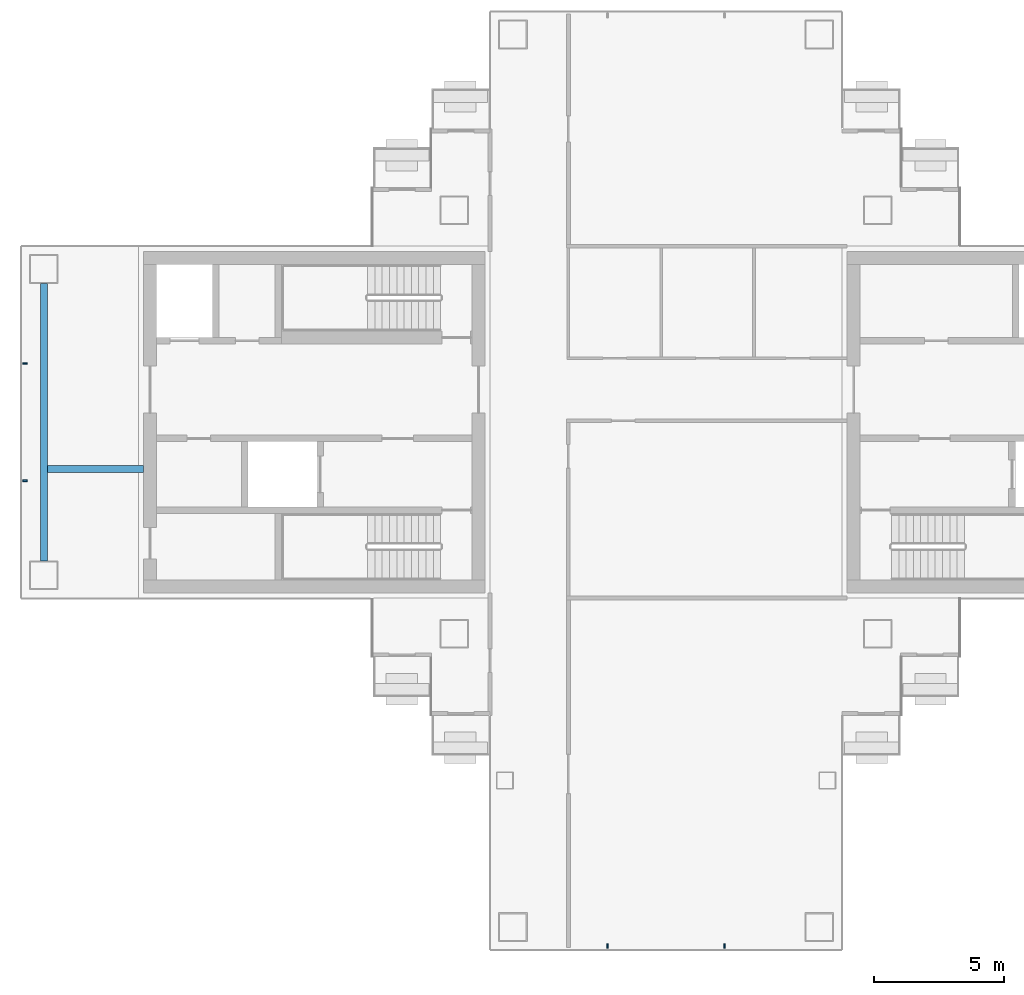
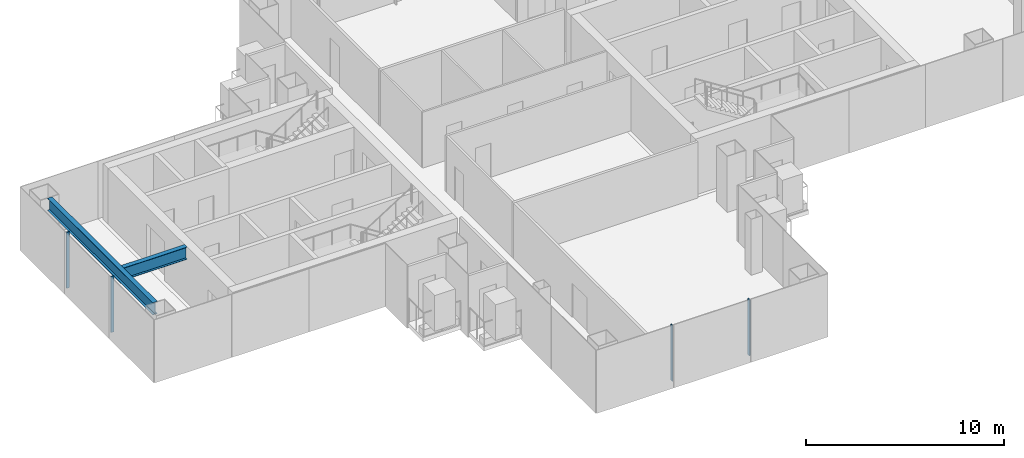
# One storey, part 3 of 17: 4 members, 2 beams, 2 elements without a shape of their own.
"""IFC4 building model written with IfcOpenShell, lengths in metres."""

from ifc_helpers import new_model, si_unit, direction, frame, origin, origin_2d, place, context, subcontext, project, spatial, rectangle, i_section, extrude, material, layer, layer_set, material_profile, profile_set, type_object, element, aggregate, save


model = new_model("IFC4")

# Units and contexts
model_context = context("Model", 3, precision=1e-05, world=origin(), true_north=direction((0.0, 1.0)))
body_context = subcontext(model_context, "Body", "Model", "MODEL_VIEW")
ifc_project = project(units=[si_unit("LENGTHUNIT", "METRE"), si_unit("AREAUNIT", "SQUARE_METRE"), si_unit("VOLUMEUNIT", "CUBIC_METRE"), si_unit("PLANEANGLEUNIT", "RADIAN"), si_unit("MASSUNIT", "GRAM", prefix="KILO")], contexts=[model_context])

# Site, building, storey
site_placement = place(None, origin())
site = spatial("IfcSite", under=ifc_project, at=site_placement, CompositionType="ELEMENT")
building_placement = place(site_placement, origin())
building = spatial("IfcBuilding", under=site, at=building_placement, Name="Shamsa Quay Exchange Towers", CompositionType="ELEMENT")
storey_placement = place(building_placement, frame((0.0, 0.0, 174.0)))
storey = spatial("IfcBuildingStorey", under=building, at=storey_placement, Name="L41", CompositionType="ELEMENT", Elevation=174.0)

# Curtain wall, members
ifc_material_1 = material(Name="Aluminium EN AW-6063 T6, black anodised", Category="aluminium")
ifc_layer = layer(ifc_material_1, 0.280029296875)
ifc_layer_set = layer_set([ifc_layer], Name="CW-1 UNITISED VISION GLASS")
curtain_wall_type = type_object("IfcCurtainWallType", Name="CW-1 UNITISED VISION GLASS", PredefinedType="NOTDEFINED", material=ifc_layer_set)
curtain_wall_1_placement = place(storey_placement, origin())
curtain_wall_1 = element("IfcCurtainWall", 1, at=curtain_wall_1_placement, inside=storey, type_object=curtain_wall_type, Name="CW1 T1-END-V- L41", PredefinedType="NOTDEFINED")
ifc_material_profile_1 = material_profile(ifc_material_1, rectangle(XDim=0.179931640625, YDim=0.06005859375, at=origin_2d()), Name="MU60x180")
ifc_profile_set_1 = profile_set([ifc_material_profile_1], Name="Aluminium EN AW-6063 T6, black anodised")
member_type = type_object("IfcMemberType", Name="CW1 MULLION 60x180", PredefinedType="MULLION", material=ifc_profile_set_1)
member_1_placement = place(storey_placement, frame((-36.0, -20.10009765625, 0.0), z_axis=(0.0, 0.0, 1.0), x_axis=(0.0, 1.0, 0.0)))
member_1 = element("IfcMember", 2, at=member_1_placement, type_object=member_type, Name="CW1 mullion", PredefinedType="MULLION", context=body_context, shape_type="SweptSolid", body=[
    extrude(rectangle(XDim=0.179931640625, YDim=0.06005859375, at=origin_2d()), origin(), (0.0, 0.0, 1.0), 3.449951171875),
])
member_2_placement = place(storey_placement, frame((-31.5, -20.10009765625, 0.0), z_axis=(0.0, 0.0, 1.0), x_axis=(0.0, 1.0, 0.0)))
member_2 = element("IfcMember", 3, at=member_2_placement, type_object=member_type, Name="CW1 mullion", PredefinedType="MULLION", context=body_context, shape_type="SweptSolid", body=[
    extrude(rectangle(XDim=0.179931640625, YDim=0.06005859375, at=origin_2d()), origin(), (0.0, 0.0, 1.0), 3.449951171875),
])
aggregate(curtain_wall_1, [member_1, member_2])

curtain_wall_2_placement = place(storey_placement, origin())
curtain_wall_2 = element("IfcCurtainWall", 4, at=curtain_wall_2_placement, inside=storey, type_object=curtain_wall_type, Name="CW1 T1-END-U- L41", PredefinedType="NOTDEFINED")
member_3_placement = place(storey_placement, frame((-58.35009765625, 2.25, 0.0)))
member_3 = element("IfcMember", 5, at=member_3_placement, type_object=member_type, Name="CW1 mullion", PredefinedType="MULLION", context=body_context, shape_type="SweptSolid", body=[
    extrude(rectangle(XDim=0.179931640625, YDim=0.06005859375, at=origin_2d()), origin(), (0.0, 0.0, 1.0), 3.449951171875),
])
member_4_placement = place(storey_placement, frame((-58.35009765625, -2.25, 0.0)))
member_4 = element("IfcMember", 6, at=member_4_placement, type_object=member_type, Name="CW1 mullion", PredefinedType="MULLION", context=body_context, shape_type="SweptSolid", body=[
    extrude(rectangle(XDim=0.179931640625, YDim=0.06005859375, at=origin_2d()), origin(), (0.0, 0.0, 1.0), 3.449951171875),
])
aggregate(curtain_wall_2, [member_3, member_4])

# Beams
ifc_material_2 = material(Name="Steel S355", Category="steel")
ifc_material_profile_2 = material_profile(ifc_material_2, i_section(OverallWidth=0.26611328125, OverallDepth=0.7578125, WebThickness=0.013916015625, FlangeThickness=0.019287109375, at=origin_2d()), Name="W30x108")
ifc_profile_set_2 = profile_set([ifc_material_profile_2], Name="Steel S355")
beam_type = type_object("IfcBeamType", Name="End-zone beam W30x108", PredefinedType="BEAM", material=ifc_profile_set_2)
beam_1_placement = place(storey_placement, frame((-57.625, -5.324951171875, 3.071044921875), z_axis=(0.0, 1.0, 0.0), x_axis=(-1.0, 0.0, 0.0)))
element("IfcBeam", 7, at=beam_1_placement, inside=storey, type_object=beam_type, Name="End beam T1 U- end zone L41", PredefinedType="BEAM", context=body_context, shape_type="SweptSolid", body=[
    extrude(i_section(OverallWidth=0.26611328125, OverallDepth=0.7578125, WebThickness=0.013916015625, FlangeThickness=0.019287109375, at=origin_2d()), origin(), (0.0, 0.0, 1.0), 10.64990234375),
])
beam_2_placement = place(storey_placement, frame((-53.800048828125, -1.800048828125, 3.071044921875), z_axis=(-1.0, 0.0, 0.0), x_axis=(0.0, -1.0, 0.0)))
element("IfcBeam", 8, at=beam_2_placement, inside=storey, type_object=beam_type, Name="Spine beam T1 U- end zone L41", PredefinedType="BEAM", context=body_context, shape_type="SweptSolid", body=[
    extrude(i_section(OverallWidth=0.26611328125, OverallDepth=0.7578125, WebThickness=0.013916015625, FlangeThickness=0.019287109375, at=origin_2d()), origin(), (0.0, 0.0, 1.0), 3.69189453125),
])

save(model, "model.ifc")
